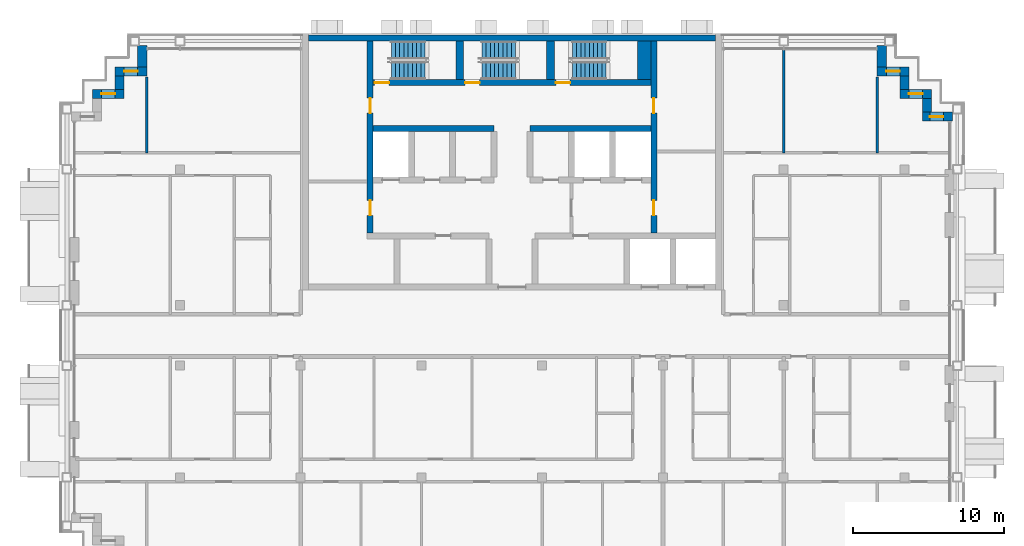
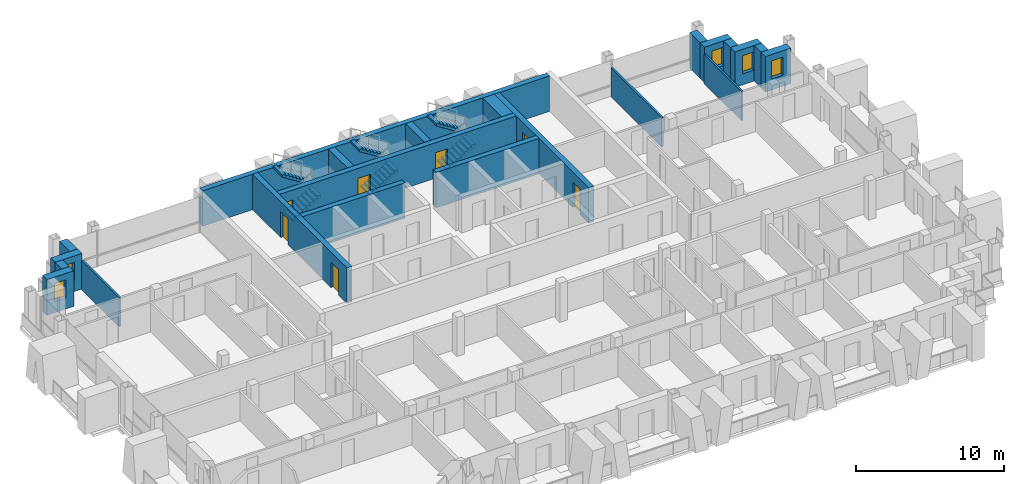
# One storey, part 11 of 15: 22 walls, 7 doors, 6 stair flights, 5 windows, 12 openings, 3 elements without a shape of their own.
"""IFC4 building model written with IfcOpenShell, lengths in metres."""

from ifc_helpers import new_model, si_unit, direction, frame, frame_2d, origin, place, context, subcontext, project, spatial, polyline, rectangle, outline, extrude, material, layer, layer_set, type_object, element, fill, aggregate, save


model = new_model("IFC4")

# Units and contexts
model_context = context("Model", 3, precision=1e-05, world=origin(), true_north=direction((0.0, 1.0)))
body_context = subcontext(model_context, "Body", "Model", "MODEL_VIEW")
ifc_project = project(units=[si_unit("LENGTHUNIT", "METRE"), si_unit("AREAUNIT", "SQUARE_METRE"), si_unit("VOLUMEUNIT", "CUBIC_METRE"), si_unit("PLANEANGLEUNIT", "RADIAN"), si_unit("MASSUNIT", "GRAM", prefix="KILO")], contexts=[model_context])

# Site, building, storey
site_placement = place(None, origin())
site = spatial("IfcSite", under=ifc_project, at=site_placement, CompositionType="ELEMENT")
building_placement = place(site_placement, origin())
building = spatial("IfcBuilding", under=site, at=building_placement, Name="Vidyagriha Tower", CompositionType="ELEMENT")
storey_placement = place(building_placement, frame((0.0, 0.0, 214.0)))
storey = spatial("IfcBuildingStorey", under=building, at=storey_placement, Name="L55", CompositionType="ELEMENT", Elevation=214.0)

# Wall, opening, window
ifc_material_1 = material(Name="Precast concrete C40/50 with brick facing", Category="concrete")
ifc_layer_1 = layer(ifc_material_1, 0.60009765625)
ifc_layer_set_1 = layer_set([ifc_layer_1], Name="Precast concrete C40/50 with brick facing")
wall_type_1 = type_object("IfcWallType", Name="Brick-faced precast wall 600", PredefinedType="STANDARD", material=ifc_layer_set_1)
wall_1_placement = place(storey_placement, frame((29.199951171875, 14.5, 0.0), z_axis=(0.0, 0.0, 1.0), x_axis=(-1.0, 0.0, 0.0)))
wall_1 = element("IfcWall", 1, at=wall_1_placement, inside=storey, type_object=wall_type_1, Name="Stepped corner wall L55 R01", PredefinedType="STANDARD", context=body_context, shape_type="SweptSolid", body=[
    extrude(rectangle(XDim=2.0, YDim=0.60009765625, at=frame_2d((1.0, 0.0))), origin(), (0.0, 0.0, 1.0), 2.919921875),
])
opening_1_placement = place(wall_1_placement, frame((0.610107421875, 0.0, 0.89990234375)))
opening_1 = element("IfcOpeningElement", 2, at=opening_1_placement, cuts=wall_1, Name="Opening WN1", PredefinedType="OPENING", context=body_context, shape_type="SweptSolid", body=[
    extrude(rectangle(XDim=0.89990234375, YDim=1.5, at=frame_2d((0.449951171875, 0.75))), frame((0.0, 0.31005859375, 0.0), z_axis=(0.0, -1.0, 0.0), x_axis=(1.0, 0.0, 0.0)), (0.0, 0.0, 1.0), 0.6201171875),
])
ifc_material_2 = material(Name="Aluminium and glass window", Category="aluminium")
window_type = type_object("IfcWindowType", Name="Reveal window 900x1500", PartitioningType="NOTDEFINED", PredefinedType="WINDOW", material=ifc_material_2)
window_1_placement = place(opening_1_placement, origin())
window_1 = element("IfcWindow", 3, at=window_1_placement, inside=storey, type_object=window_type, Name="Reveal window L55 R01", OverallHeight=1.5, OverallWidth=0.89990234375, PartitioningType="SINGLE_PANEL", PredefinedType="WINDOW", context=body_context, shape_type="SweptSolid", body=[
    extrude(rectangle(XDim=0.89990234375, YDim=1.5, at=frame_2d((0.449951171875, 0.75))), frame((0.0, 0.030029296875, 0.0), z_axis=(0.0, -1.0, 0.0), x_axis=(1.0, 0.0, 0.0)), (0.0, 0.0, 1.0), 0.06005859375),
])
fill(opening_1, window_1)

# Wall
wall_2_placement = place(storey_placement, frame((27.5, 14.800048828125, 0.0), z_axis=(0.0, 0.0, 1.0), x_axis=(0.0, 1.0, 0.0)))
element("IfcWall", 4, at=wall_2_placement, inside=storey, type_object=wall_type_1, Name="Stepped corner wall L55 R02", PredefinedType="STANDARD", context=body_context, shape_type="SweptSolid", body=[
    extrude(rectangle(XDim=0.89990234375, YDim=0.60009765625, at=frame_2d((0.449951171875, 0.0))), origin(), (0.0, 0.0, 1.0), 2.919921875),
])

# Wall, opening, window
wall_3_placement = place(storey_placement, frame((27.800048828125, 16.0, 0.0), z_axis=(0.0, 0.0, 1.0), x_axis=(-1.0, 0.0, 0.0)))
wall_3 = element("IfcWall", 5, at=wall_3_placement, inside=storey, type_object=wall_type_1, Name="Stepped corner wall L55 R03", PredefinedType="STANDARD", context=body_context, shape_type="SweptSolid", body=[
    extrude(rectangle(XDim=2.10009765625, YDim=0.60009765625, at=frame_2d((1.050048828125, 0.0))), origin(), (0.0, 0.0, 1.0), 2.919921875),
])
opening_2_placement = place(wall_3_placement, frame((0.60009765625, 0.0, 0.89990234375)))
opening_2 = element("IfcOpeningElement", 6, at=opening_2_placement, cuts=wall_3, Name="Opening WN1", PredefinedType="OPENING", context=body_context, shape_type="SweptSolid", body=[
    extrude(rectangle(XDim=0.89990234375, YDim=1.5, at=frame_2d((0.449951171875, 0.75))), frame((0.0, 0.31005859375, 0.0), z_axis=(0.0, -1.0, 0.0), x_axis=(1.0, 0.0, 0.0)), (0.0, 0.0, 1.0), 0.6201171875),
])
window_2_placement = place(opening_2_placement, origin())
window_2 = element("IfcWindow", 7, at=window_2_placement, inside=storey, type_object=window_type, Name="Reveal window L55 R03", OverallHeight=1.5, OverallWidth=0.89990234375, PartitioningType="SINGLE_PANEL", PredefinedType="WINDOW", context=body_context, shape_type="SweptSolid", body=[
    extrude(rectangle(XDim=0.89990234375, YDim=1.5, at=frame_2d((0.449951171875, 0.75))), frame((0.0, 0.030029296875, 0.0), z_axis=(0.0, -1.0, 0.0), x_axis=(1.0, 0.0, 0.0)), (0.0, 0.0, 1.0), 0.06005859375),
])
fill(opening_2, window_2)

# Wall
wall_4_placement = place(storey_placement, frame((26.0, 16.300048828125, 0.0), z_axis=(0.0, 0.0, 1.0), x_axis=(0.0, 1.0, 0.0)))
element("IfcWall", 8, at=wall_4_placement, inside=storey, type_object=wall_type_1, Name="Stepped corner wall L55 R04", PredefinedType="STANDARD", context=body_context, shape_type="SweptSolid", body=[
    extrude(rectangle(XDim=0.89990234375, YDim=0.60009765625, at=frame_2d((0.449951171875, 0.0))), origin(), (0.0, 0.0, 1.0), 2.919921875),
])

# Wall, opening, window
wall_5_placement = place(storey_placement, frame((26.300048828125, 17.5, 0.0), z_axis=(0.0, 0.0, 1.0), x_axis=(-1.0, 0.0, 0.0)))
wall_5 = element("IfcWall", 9, at=wall_5_placement, inside=storey, type_object=wall_type_1, Name="Stepped corner wall L55 R05", PredefinedType="STANDARD", context=body_context, shape_type="SweptSolid", body=[
    extrude(rectangle(XDim=2.10009765625, YDim=0.60009765625, at=frame_2d((1.050048828125, 0.0))), origin(), (0.0, 0.0, 1.0), 2.919921875),
])
opening_3_placement = place(wall_5_placement, frame((0.60009765625, 0.0, 0.89990234375)))
opening_3 = element("IfcOpeningElement", 10, at=opening_3_placement, cuts=wall_5, Name="Opening WN1", PredefinedType="OPENING", context=body_context, shape_type="SweptSolid", body=[
    extrude(rectangle(XDim=0.89990234375, YDim=1.5, at=frame_2d((0.449951171875, 0.75))), frame((0.0, 0.31005859375, 0.0), z_axis=(0.0, -1.0, 0.0), x_axis=(1.0, 0.0, 0.0)), (0.0, 0.0, 1.0), 0.6201171875),
])
window_3_placement = place(opening_3_placement, origin())
window_3 = element("IfcWindow", 11, at=window_3_placement, inside=storey, type_object=window_type, Name="Reveal window L55 R05", OverallHeight=1.5, OverallWidth=0.89990234375, PartitioningType="SINGLE_PANEL", PredefinedType="WINDOW", context=body_context, shape_type="SweptSolid", body=[
    extrude(rectangle(XDim=0.89990234375, YDim=1.5, at=frame_2d((0.449951171875, 0.75))), frame((0.0, 0.030029296875, 0.0), z_axis=(0.0, -1.0, 0.0), x_axis=(1.0, 0.0, 0.0)), (0.0, 0.0, 1.0), 0.06005859375),
])
fill(opening_3, window_3)

# Walls
for number, where, z_axis, x_axis, name in (
    (12, (24.5, 17.800048828125, 0.0), (0.0, 0.0, 1.0), (0.0, 1.0, 0.0), "Stepped corner wall L55 R06"),
    (13, (-24.5, 19.199951171875, 0.0), (0.0, 0.0, 1.0), (0.0, -1.0, 0.0), "Stepped corner wall L55 R10"),
):
    element("IfcWall", number, at=place(storey_placement, frame(where, z_axis=z_axis, x_axis=x_axis)), inside=storey, type_object=wall_type_1, Name=name, PredefinedType="STANDARD", context=body_context, shape_type="SweptSolid", body=[
        extrude(rectangle(XDim=1.39990234375, YDim=0.60009765625, at=frame_2d((0.699951171875, 0.0))), origin(), (0.0, 0.0, 1.0), 2.919921875),
    ])

# Wall, opening, window
wall_6_placement = place(storey_placement, frame((-24.199951171875, 17.5, 0.0), z_axis=(0.0, 0.0, 1.0), x_axis=(-1.0, 0.0, 0.0)))
wall_6 = element("IfcWall", 14, at=wall_6_placement, inside=storey, type_object=wall_type_1, Name="Stepped corner wall L55 R11", PredefinedType="STANDARD", context=body_context, shape_type="SweptSolid", body=[
    extrude(rectangle(XDim=2.10009765625, YDim=0.60009765625, at=frame_2d((1.050048828125, 0.0))), origin(), (0.0, 0.0, 1.0), 2.919921875),
])
opening_4_placement = place(wall_6_placement, frame((0.60009765625, 0.0, 0.89990234375)))
opening_4 = element("IfcOpeningElement", 15, at=opening_4_placement, cuts=wall_6, Name="Opening WN1", PredefinedType="OPENING", context=body_context, shape_type="SweptSolid", body=[
    extrude(rectangle(XDim=0.89990234375, YDim=1.5, at=frame_2d((0.449951171875, 0.75))), frame((0.0, 0.31005859375, 0.0), z_axis=(0.0, -1.0, 0.0), x_axis=(1.0, 0.0, 0.0)), (0.0, 0.0, 1.0), 0.6201171875),
])
window_4_placement = place(opening_4_placement, origin())
window_4 = element("IfcWindow", 16, at=window_4_placement, inside=storey, type_object=window_type, Name="Reveal window L55 R11", OverallHeight=1.5, OverallWidth=0.89990234375, PartitioningType="SINGLE_PANEL", PredefinedType="WINDOW", context=body_context, shape_type="SweptSolid", body=[
    extrude(rectangle(XDim=0.89990234375, YDim=1.5, at=frame_2d((0.449951171875, 0.75))), frame((0.0, 0.030029296875, 0.0), z_axis=(0.0, -1.0, 0.0), x_axis=(1.0, 0.0, 0.0)), (0.0, 0.0, 1.0), 0.06005859375),
])
fill(opening_4, window_4)

# Wall
wall_7_placement = place(storey_placement, frame((-26.0, 17.199951171875, 0.0), z_axis=(0.0, 0.0, 1.0), x_axis=(0.0, -1.0, 0.0)))
element("IfcWall", 17, at=wall_7_placement, inside=storey, type_object=wall_type_1, Name="Stepped corner wall L55 R12", PredefinedType="STANDARD", context=body_context, shape_type="SweptSolid", body=[
    extrude(rectangle(XDim=0.89990234375, YDim=0.60009765625, at=frame_2d((0.449951171875, 0.0))), origin(), (0.0, 0.0, 1.0), 2.919921875),
])

# Wall, opening, window
wall_8_placement = place(storey_placement, frame((-25.699951171875, 16.0, 0.0), z_axis=(0.0, 0.0, 1.0), x_axis=(-1.0, 0.0, 0.0)))
wall_8 = element("IfcWall", 18, at=wall_8_placement, inside=storey, type_object=wall_type_1, Name="Stepped corner wall L55 R13", PredefinedType="STANDARD", context=body_context, shape_type="SweptSolid", body=[
    extrude(rectangle(XDim=2.10009765625, YDim=0.60009765625, at=frame_2d((1.050048828125, 0.0))), origin(), (0.0, 0.0, 1.0), 2.919921875),
])
opening_5_placement = place(wall_8_placement, frame((0.60009765625, 0.0, 0.89990234375)))
opening_5 = element("IfcOpeningElement", 19, at=opening_5_placement, cuts=wall_8, Name="Opening WN1", PredefinedType="OPENING", context=body_context, shape_type="SweptSolid", body=[
    extrude(rectangle(XDim=0.89990234375, YDim=1.5, at=frame_2d((0.449951171875, 0.75))), frame((0.0, 0.31005859375, 0.0), z_axis=(0.0, -1.0, 0.0), x_axis=(1.0, 0.0, 0.0)), (0.0, 0.0, 1.0), 0.6201171875),
])
window_5_placement = place(opening_5_placement, origin())
window_5 = element("IfcWindow", 20, at=window_5_placement, inside=storey, type_object=window_type, Name="Reveal window L55 R13", OverallHeight=1.5, OverallWidth=0.89990234375, PartitioningType="SINGLE_PANEL", PredefinedType="WINDOW", context=body_context, shape_type="SweptSolid", body=[
    extrude(rectangle(XDim=0.89990234375, YDim=1.5, at=frame_2d((0.449951171875, 0.75))), frame((0.0, 0.030029296875, 0.0), z_axis=(0.0, -1.0, 0.0), x_axis=(1.0, 0.0, 0.0)), (0.0, 0.0, 1.0), 0.06005859375),
])
fill(opening_5, window_5)

# Wall
ifc_material_3 = material(Name="Concrete C60/75", Category="concrete")
ifc_layer_2 = layer(ifc_material_3, 0.39990234375)
ifc_layer_set_2 = layer_set([ifc_layer_2], Name="Concrete C60/75")
wall_type_2 = type_object("IfcWallType", Name="Core shear wall 400 mm", PredefinedType="SHEAR", material=ifc_layer_set_2)
wall_9_placement = place(storey_placement, frame((-13.5, 19.699951171875, 0.0)))
element("IfcWall", 21, at=wall_9_placement, inside=storey, type_object=wall_type_2, Name="Core north wall", PredefinedType="SHEAR", context=body_context, shape_type="SweptSolid", body=[
    extrude(rectangle(XDim=27.0, YDim=0.39990234375, at=frame_2d((13.5, 0.0))), origin(), (0.0, 0.0, 1.0), 2.919921875),
])

# Wall, openings, doors
wall_10_placement = place(storey_placement, frame((-9.39990234375, 6.800048828125, 0.0), z_axis=(0.0, 0.0, 1.0), x_axis=(0.0, 1.0, 0.0)))
wall_10 = element("IfcWall", 22, at=wall_10_placement, inside=storey, type_object=wall_type_2, Name="Core west spine wall", PredefinedType="SHEAR", context=body_context, shape_type="SweptSolid", body=[
    extrude(rectangle(XDim=12.699951171875, YDim=0.39990234375, at=frame_2d((6.35009765625, 0.0))), origin(), (0.0, 0.0, 1.0), 2.919921875),
])
opening_6_placement = place(wall_10_placement, frame((1.14990234375, 0.0, 0.0)))
opening_6 = element("IfcOpeningElement", 23, at=opening_6_placement, cuts=wall_10, Name="Opening D55-11", PredefinedType="OPENING", context=body_context, shape_type="SweptSolid", body=[
    extrude(rectangle(XDim=1.0, YDim=2.10009765625, at=frame_2d((0.5, 1.050048828125))), frame((0.0, 0.2099609375, 0.0), z_axis=(0.0, -1.0, 0.0), x_axis=(1.0, 0.0, 0.0)), (0.0, 0.0, 1.0), 0.419921875),
])
opening_7_placement = place(wall_10_placement, frame((7.925048828125, 0.0, 0.0)))
opening_7 = element("IfcOpeningElement", 24, at=opening_7_placement, cuts=wall_10, Name="Opening D55-12", PredefinedType="OPENING", context=body_context, shape_type="SweptSolid", body=[
    extrude(rectangle(XDim=1.0, YDim=2.10009765625, at=frame_2d((0.5, 1.050048828125))), frame((0.0, 0.2099609375, 0.0), z_axis=(0.0, -1.0, 0.0), x_axis=(1.0, 0.0, 0.0)), (0.0, 0.0, 1.0), 0.419921875),
])
ifc_material_4 = material(Name="Hollow metal door leaf")
door_type_1 = type_object("IfcDoorType", Name="Core room door 1000 x 2100 mm EI 60", OperationType="NOTDEFINED", PredefinedType="DOOR", material=ifc_material_4)
door_1_placement = place(opening_6_placement, frame((1.0, 0.0, 0.0), z_axis=(0.0, 0.0, 1.0), x_axis=(-1.0, 0.0, 0.0)))
door_1 = element("IfcDoor", 25, at=door_1_placement, inside=storey, type_object=door_type_1, Name="Door Refuse Room 55.W1", OperationType="SINGLE_SWING_RIGHT", OverallHeight=2.10009765625, OverallWidth=1.0, PredefinedType="DOOR", context=body_context, shape_type="SweptSolid", body=[
    extrude(rectangle(XDim=1.0, YDim=2.10009765625, at=frame_2d((0.5, 1.050048828125))), frame((0.0, 0.02490234375, 0.0), z_axis=(0.0, -1.0, 0.0), x_axis=(1.0, 0.0, 0.0)), (0.0, 0.0, 1.0), 0.050048828125),
])
fill(opening_6, door_1)
door_2_placement = place(opening_7_placement, frame((1.0, 0.0, 0.0), z_axis=(0.0, 0.0, 1.0), x_axis=(-1.0, 0.0, 0.0)))
door_2 = element("IfcDoor", 26, at=door_2_placement, inside=storey, type_object=door_type_1, Name="Door Switchgear Room 55.W2", OperationType="SINGLE_SWING_LEFT", OverallHeight=2.10009765625, OverallWidth=1.0, PredefinedType="DOOR", context=body_context, shape_type="SweptSolid", body=[
    extrude(rectangle(XDim=1.0, YDim=2.10009765625, at=frame_2d((0.5, 1.050048828125))), frame((0.0, 0.02490234375, 0.0), z_axis=(0.0, -1.0, 0.0), x_axis=(1.0, 0.0, 0.0)), (0.0, 0.0, 1.0), 0.050048828125),
])
fill(opening_7, door_2)

wall_11_placement = place(storey_placement, frame((9.39990234375, 6.800048828125, 0.0), z_axis=(0.0, 0.0, 1.0), x_axis=(0.0, 1.0, 0.0)))
wall_11 = element("IfcWall", 27, at=wall_11_placement, inside=storey, type_object=wall_type_2, Name="Core east spine wall", PredefinedType="SHEAR", context=body_context, shape_type="SweptSolid", body=[
    extrude(rectangle(XDim=12.699951171875, YDim=0.39990234375, at=frame_2d((6.35009765625, 0.0))), origin(), (0.0, 0.0, 1.0), 2.919921875),
])
opening_8_placement = place(wall_11_placement, frame((1.14990234375, 0.0, 0.0)))
opening_8 = element("IfcOpeningElement", 28, at=opening_8_placement, cuts=wall_11, Name="Opening D55-13", PredefinedType="OPENING", context=body_context, shape_type="SweptSolid", body=[
    extrude(rectangle(XDim=1.0, YDim=2.10009765625, at=frame_2d((0.5, 1.050048828125))), frame((0.0, 0.2099609375, 0.0), z_axis=(0.0, -1.0, 0.0), x_axis=(1.0, 0.0, 0.0)), (0.0, 0.0, 1.0), 0.419921875),
])
opening_9_placement = place(wall_11_placement, frame((7.925048828125, 0.0, 0.0)))
opening_9 = element("IfcOpeningElement", 29, at=opening_9_placement, cuts=wall_11, Name="Opening D55-14", PredefinedType="OPENING", context=body_context, shape_type="SweptSolid", body=[
    extrude(rectangle(XDim=1.0, YDim=2.10009765625, at=frame_2d((0.5, 1.050048828125))), frame((0.0, 0.2099609375, 0.0), z_axis=(0.0, -1.0, 0.0), x_axis=(1.0, 0.0, 0.0)), (0.0, 0.0, 1.0), 0.419921875),
])
door_3_placement = place(opening_8_placement, origin())
door_3 = element("IfcDoor", 30, at=door_3_placement, inside=storey, type_object=door_type_1, Name="Door Pressurisation Plant Room 55.E1", OperationType="SINGLE_SWING_RIGHT", OverallHeight=2.10009765625, OverallWidth=1.0, PredefinedType="DOOR", context=body_context, shape_type="SweptSolid", body=[
    extrude(rectangle(XDim=1.0, YDim=2.10009765625, at=frame_2d((0.5, 1.050048828125))), frame((0.0, 0.02490234375, 0.0), z_axis=(0.0, -1.0, 0.0), x_axis=(1.0, 0.0, 0.0)), (0.0, 0.0, 1.0), 0.050048828125),
])
fill(opening_8, door_3)
door_4_placement = place(opening_9_placement, origin())
door_4 = element("IfcDoor", 31, at=door_4_placement, inside=storey, type_object=door_type_1, Name="Door Storage Room 55.E2", OperationType="SINGLE_SWING_LEFT", OverallHeight=2.10009765625, OverallWidth=1.0, PredefinedType="DOOR", context=body_context, shape_type="SweptSolid", body=[
    extrude(rectangle(XDim=1.0, YDim=2.10009765625, at=frame_2d((0.5, 1.050048828125))), frame((0.0, 0.02490234375, 0.0), z_axis=(0.0, -1.0, 0.0), x_axis=(1.0, 0.0, 0.0)), (0.0, 0.0, 1.0), 0.050048828125),
])
fill(opening_9, door_4)

# Walls
for number, where, name in (
    (32, (-9.199951171875, 13.699951171875, 0.0), "Core row N rear wall"),
    (33, (1.199951171875, 13.699951171875, 0.0), "Core row N rear wall"),
):
    element("IfcWall", number, at=place(storey_placement, frame(where)), inside=storey, type_object=wall_type_2, Name=name, PredefinedType="SHEAR", context=body_context, shape_type="SweptSolid", body=[
        extrude(rectangle(XDim=8.0, YDim=0.39990234375, at=frame_2d((4.0, 0.0))), origin(), (0.0, 0.0, 1.0), 2.919921875),
    ])

# Wall, openings, doors
wall_12_placement = place(storey_placement, frame((-9.199951171875, 16.75, 0.0)))
wall_12 = element("IfcWall", 34, at=wall_12_placement, inside=storey, type_object=wall_type_2, Name="Stair front wall", PredefinedType="SHEAR", context=body_context, shape_type="SweptSolid", body=[
    extrude(rectangle(XDim=18.39990234375, YDim=0.39990234375, at=frame_2d((9.199951171875, 0.0))), origin(), (0.0, 0.0, 1.0), 2.919921875),
])
opening_10_placement = place(wall_12_placement, frame((0.10009765625, 0.0, 0.0)))
opening_10 = element("IfcOpeningElement", 35, at=opening_10_placement, cuts=wall_12, Name="Opening D55-08", PredefinedType="OPENING", context=body_context, shape_type="SweptSolid", body=[
    extrude(rectangle(XDim=0.949951171875, YDim=2.10009765625, at=frame_2d((0.47509765625, 1.050048828125))), frame((0.0, 0.2099609375, 0.0), z_axis=(0.0, -1.0, 0.0), x_axis=(1.0, 0.0, 0.0)), (0.0, 0.0, 1.0), 0.419921875),
])
opening_11_placement = place(wall_12_placement, frame((6.10009765625, 0.0, 0.0)))
opening_11 = element("IfcOpeningElement", 36, at=opening_11_placement, cuts=wall_12, Name="Opening D55-09", PredefinedType="OPENING", context=body_context, shape_type="SweptSolid", body=[
    extrude(rectangle(XDim=0.949951171875, YDim=2.10009765625, at=frame_2d((0.47509765625, 1.050048828125))), frame((0.0, 0.2099609375, 0.0), z_axis=(0.0, -1.0, 0.0), x_axis=(1.0, 0.0, 0.0)), (0.0, 0.0, 1.0), 0.419921875),
])
opening_12_placement = place(wall_12_placement, frame((12.10009765625, 0.0, 0.0)))
opening_12 = element("IfcOpeningElement", 37, at=opening_12_placement, cuts=wall_12, Name="Opening D55-10", PredefinedType="OPENING", context=body_context, shape_type="SweptSolid", body=[
    extrude(rectangle(XDim=0.949951171875, YDim=2.10009765625, at=frame_2d((0.47509765625, 1.050048828125))), frame((0.0, 0.2099609375, 0.0), z_axis=(0.0, -1.0, 0.0), x_axis=(1.0, 0.0, 0.0)), (0.0, 0.0, 1.0), 0.419921875),
])
ifc_material_5 = material(Name="Hollow metal door leaf")
door_type_2 = type_object("IfcDoorType", Name="Exit stair door 950 x 2100 mm EI 90", OperationType="NOTDEFINED", PredefinedType="DOOR", material=ifc_material_5)
door_5_placement = place(opening_10_placement, origin())
door_5 = element("IfcDoor", 38, at=door_5_placement, inside=storey, type_object=door_type_2, Name="Stair door ST1 L55", OperationType="SINGLE_SWING_LEFT", OverallHeight=2.10009765625, OverallWidth=0.949951171875, PredefinedType="DOOR", context=body_context, shape_type="SweptSolid", body=[
    extrude(rectangle(XDim=0.949951171875, YDim=2.10009765625, at=frame_2d((0.47509765625, 1.050048828125))), frame((0.0, 0.02490234375, 0.0), z_axis=(0.0, -1.0, 0.0), x_axis=(1.0, 0.0, 0.0)), (0.0, 0.0, 1.0), 0.050048828125),
])
fill(opening_10, door_5)
door_6_placement = place(opening_11_placement, origin())
door_6 = element("IfcDoor", 39, at=door_6_placement, inside=storey, type_object=door_type_2, Name="Stair door ST2 L55", OperationType="SINGLE_SWING_LEFT", OverallHeight=2.10009765625, OverallWidth=0.949951171875, PredefinedType="DOOR", context=body_context, shape_type="SweptSolid", body=[
    extrude(rectangle(XDim=0.949951171875, YDim=2.10009765625, at=frame_2d((0.47509765625, 1.050048828125))), frame((0.0, 0.02490234375, 0.0), z_axis=(0.0, -1.0, 0.0), x_axis=(1.0, 0.0, 0.0)), (0.0, 0.0, 1.0), 0.050048828125),
])
fill(opening_11, door_6)
door_7_placement = place(opening_12_placement, origin())
door_7 = element("IfcDoor", 40, at=door_7_placement, inside=storey, type_object=door_type_2, Name="Stair door ST3 L55", OperationType="SINGLE_SWING_LEFT", OverallHeight=2.10009765625, OverallWidth=0.949951171875, PredefinedType="DOOR", context=body_context, shape_type="SweptSolid", body=[
    extrude(rectangle(XDim=0.949951171875, YDim=2.10009765625, at=frame_2d((0.47509765625, 1.050048828125))), frame((0.0, 0.02490234375, 0.0), z_axis=(0.0, -1.0, 0.0), x_axis=(1.0, 0.0, 0.0)), (0.0, 0.0, 1.0), 0.050048828125),
])
fill(opening_12, door_7)

# Walls
ifc_material_6 = material(Name="Concrete C60/75", Category="concrete")
ifc_layer_3 = layer(ifc_material_6, 0.5)
ifc_layer_set_3 = layer_set([ifc_layer_3], Name="Concrete C60/75")
wall_type_3 = type_object("IfcWallType", Name="Core shear wall 500 mm", PredefinedType="SHEAR", material=ifc_layer_set_3)
for number, where, z_axis, x_axis, name in (
    (41, (-3.449951171875, 16.949951171875, 0.0), (0.0, 0.0, 1.0), (0.0, 1.0, 0.0), "Stair partition wall 1"),
    (42, (2.550048828125, 16.949951171875, 0.0), (0.0, 0.0, 1.0), (0.0, 1.0, 0.0), "Stair partition wall 2"),
):
    element("IfcWall", number, at=place(storey_placement, frame(where, z_axis=z_axis, x_axis=x_axis)), inside=storey, type_object=wall_type_3, Name=name, PredefinedType="SHEAR", context=body_context, shape_type="SweptSolid", body=[
        extrude(rectangle(XDim=2.550048828125, YDim=0.5, at=frame_2d((1.27490234375, 0.0))), origin(), (0.0, 0.0, 1.0), 2.919921875),
    ])
ifc_material_7 = material(Name="Concrete C60/75", Category="concrete")
ifc_layer_4 = layer(ifc_material_7, 0.89990234375)
ifc_layer_set_4 = layer_set([ifc_layer_4], Name="Concrete C60/75")
wall_type_4 = type_object("IfcWallType", Name="Core shear wall 900 mm", PredefinedType="SHEAR", material=ifc_layer_set_4)
wall_13_placement = place(storey_placement, frame((8.75, 16.949951171875, 0.0), z_axis=(0.0, 0.0, 1.0), x_axis=(0.0, 1.0, 0.0)))
element("IfcWall", 43, at=wall_13_placement, inside=storey, type_object=wall_type_4, Name="Stair end wall", PredefinedType="SHEAR", context=body_context, shape_type="SweptSolid", body=[
    extrude(rectangle(XDim=2.550048828125, YDim=0.89990234375, at=frame_2d((1.27490234375, 0.0))), origin(), (0.0, 0.0, 1.0), 2.919921875),
])
ifc_material_8 = material(Name="Gypsum board partition")
ifc_layer_5 = layer(ifc_material_8, 0.14990234375)
ifc_layer_set_5 = layer_set([ifc_layer_5], Name="Gypsum board partition")
wall_type_5 = type_object("IfcWallType", Name="Gypsum board partition 150", PredefinedType="PARTITIONING", material=ifc_layer_set_5)
wall_14_placement = place(storey_placement, frame((-24.199951171875, 17.1201171875, 0.0), z_axis=(0.0, 0.0, 1.0), x_axis=(0.0, -1.0, 0.0)))
element("IfcWall", 44, at=wall_14_placement, inside=storey, type_object=wall_type_5, Name="Wall all-L55-w078", PredefinedType="PARTITIONING", context=body_context, shape_type="SweptSolid", body=[
    extrude(rectangle(XDim=5.02001953125, YDim=0.14990234375, at=frame_2d((2.510009765625, 0.0))), origin(), (0.0, 0.0, 1.0), 2.39990234375),
])
wall_15_placement = place(storey_placement, frame((18.0, 18.9208984375, 0.0), z_axis=(0.0, 0.0, 1.0), x_axis=(0.0, -1.0, 0.0)))
element("IfcWall", 45, at=wall_15_placement, inside=storey, type_object=wall_type_5, Name="Wall all-L55-w094", PredefinedType="PARTITIONING", context=body_context, shape_type="SweptSolid", body=[
    extrude(rectangle(XDim=6.82080078125, YDim=0.14990234375, at=frame_2d((3.410400390625, 0.0))), origin(), (0.0, 0.0, 1.0), 2.39990234375),
])
wall_16_placement = place(storey_placement, frame((24.199951171875, 17.1201171875, 0.0), z_axis=(0.0, 0.0, 1.0), x_axis=(0.0, -1.0, 0.0)))
element("IfcWall", 46, at=wall_16_placement, inside=storey, type_object=wall_type_5, Name="Wall all-L55-w095", PredefinedType="PARTITIONING", context=body_context, shape_type="SweptSolid", body=[
    extrude(rectangle(XDim=5.02001953125, YDim=0.14990234375, at=frame_2d((2.510009765625, 0.0))), origin(), (0.0, 0.0, 1.0), 2.39990234375),
])

# Stair, stair flights
ifc_material_9 = material(Name="Concrete C40/50", Category="concrete")
stair_type = type_object("IfcStairType", Name="Exit stair, half-turn, precast flights", PredefinedType="HALF_TURN_STAIR", material=ifc_material_9)
stair_1_placement = place(storey_placement, origin())
stair_1 = element("IfcStair", 47, at=stair_1_placement, inside=storey, type_object=stair_type, Name="L55 Exit Stair ST1", PredefinedType="HALF_TURN_STAIR")
ifc_material_10 = material(Name="Precast concrete C40/50", Category="concrete")
stair_flight_type = type_object("IfcStairFlightType", Name="Exit stair flight 1200 mm, precast", PredefinedType="STRAIGHT", material=ifc_material_10)
stair_flight_1_placement = place(storey_placement, frame((-8.0, 17.550048828125, 0.0)))
stair_flight_1 = element("IfcStairFlight", 48, at=stair_flight_1_placement, type_object=stair_flight_type, Name="ST1 flight 1", NumberOfRisers=9, NumberOfTreads=8, PredefinedType="STRAIGHT", RiserHeight=0.177777778, TreadLength=0.28, context=body_context, shape_type="SweptSolid", body=[
    extrude(outline(polyline([(0.0, 0.0), (0.0, 0.177734375), (0.280029296875, 0.177734375), (0.280029296875, 0.35546875), (0.56005859375, 0.35546875), (0.56005859375, 0.533447265625), (0.840087890625, 0.533447265625), (0.840087890625, 0.711181640625), (1.1201171875, 0.711181640625), (1.1201171875, 0.888916015625), (1.39990234375, 0.888916015625), (1.39990234375, 1.066650390625), (1.679931640625, 1.066650390625), (1.679931640625, 1.244384765625), (1.9599609375, 1.244384765625), (1.9599609375, 1.422119140625), (2.239990234375, 1.422119140625), (2.239990234375, 1.60009765625), (2.239990234375, 1.24462890625), (0.27978515625, 0.0), (0.0, 0.0)])), frame((0.0, 0.60009765625, 0.0), z_axis=(0.0, -1.0, 0.0), x_axis=(1.0, 0.0, 0.0)), (0.0, 0.0, 1.0), 1.199951171875),
])
stair_flight_2_placement = place(storey_placement, frame((-5.760009765625, 18.89990234375, 1.60009765625), z_axis=(0.0, 0.0, 1.0), x_axis=(-1.0, 0.0, 0.0)))
stair_flight_2 = element("IfcStairFlight", 49, at=stair_flight_2_placement, type_object=stair_flight_type, Name="ST1 flight 2", NumberOfRisers=9, NumberOfTreads=8, PredefinedType="STRAIGHT", RiserHeight=0.177777778, TreadLength=0.28, context=body_context, shape_type="SweptSolid", body=[
    extrude(outline(polyline([(0.0, 0.0), (0.0, 0.177734375), (0.280029296875, 0.177734375), (0.280029296875, 0.35546875), (0.56005859375, 0.35546875), (0.56005859375, 0.533447265625), (0.840087890625, 0.533447265625), (0.840087890625, 0.711181640625), (1.1201171875, 0.711181640625), (1.1201171875, 0.888916015625), (1.39990234375, 0.888916015625), (1.39990234375, 1.066650390625), (1.679931640625, 1.066650390625), (1.679931640625, 1.244384765625), (1.9599609375, 1.244384765625), (1.9599609375, 1.422119140625), (2.239990234375, 1.422119140625), (2.239990234375, 1.60009765625), (2.239990234375, 1.24462890625), (0.27978515625, 0.0), (0.0, 0.0)])), frame((0.0, 0.60009765625, 0.0), z_axis=(0.0, -1.0, 0.0), x_axis=(1.0, 0.0, 0.0)), (0.0, 0.0, 1.0), 1.199951171875),
])
aggregate(stair_1, [stair_flight_1, stair_flight_2])

stair_2_placement = place(storey_placement, origin())
stair_2 = element("IfcStair", 50, at=stair_2_placement, inside=storey, type_object=stair_type, Name="L55 Exit Stair ST2", PredefinedType="HALF_TURN_STAIR")
stair_flight_3_placement = place(storey_placement, frame((-2.0, 17.550048828125, 0.0)))
stair_flight_3 = element("IfcStairFlight", 51, at=stair_flight_3_placement, type_object=stair_flight_type, Name="ST2 flight 1", NumberOfRisers=9, NumberOfTreads=8, PredefinedType="STRAIGHT", RiserHeight=0.177777778, TreadLength=0.28, context=body_context, shape_type="SweptSolid", body=[
    extrude(outline(polyline([(0.0, 0.0), (0.0, 0.177734375), (0.280029296875, 0.177734375), (0.280029296875, 0.35546875), (0.56005859375, 0.35546875), (0.56005859375, 0.533447265625), (0.840087890625, 0.533447265625), (0.840087890625, 0.711181640625), (1.1201171875, 0.711181640625), (1.1201171875, 0.888916015625), (1.39990234375, 0.888916015625), (1.39990234375, 1.066650390625), (1.679931640625, 1.066650390625), (1.679931640625, 1.244384765625), (1.9599609375, 1.244384765625), (1.9599609375, 1.422119140625), (2.239990234375, 1.422119140625), (2.239990234375, 1.60009765625), (2.239990234375, 1.24462890625), (0.27978515625, 0.0), (0.0, 0.0)])), frame((0.0, 0.60009765625, 0.0), z_axis=(0.0, -1.0, 0.0), x_axis=(1.0, 0.0, 0.0)), (0.0, 0.0, 1.0), 1.199951171875),
])
stair_flight_4_placement = place(storey_placement, frame((0.239990234375, 18.89990234375, 1.60009765625), z_axis=(0.0, 0.0, 1.0), x_axis=(-1.0, 0.0, 0.0)))
stair_flight_4 = element("IfcStairFlight", 52, at=stair_flight_4_placement, type_object=stair_flight_type, Name="ST2 flight 2", NumberOfRisers=9, NumberOfTreads=8, PredefinedType="STRAIGHT", RiserHeight=0.177777778, TreadLength=0.28, context=body_context, shape_type="SweptSolid", body=[
    extrude(outline(polyline([(0.0, 0.0), (0.0, 0.177734375), (0.280029296875, 0.177734375), (0.280029296875, 0.35546875), (0.56005859375, 0.35546875), (0.56005859375, 0.533447265625), (0.840087890625, 0.533447265625), (0.840087890625, 0.711181640625), (1.1201171875, 0.711181640625), (1.1201171875, 0.888916015625), (1.39990234375, 0.888916015625), (1.39990234375, 1.066650390625), (1.679931640625, 1.066650390625), (1.679931640625, 1.244384765625), (1.9599609375, 1.244384765625), (1.9599609375, 1.422119140625), (2.239990234375, 1.422119140625), (2.239990234375, 1.60009765625), (2.239990234375, 1.24462890625), (0.27978515625, 0.0), (0.0, 0.0)])), frame((0.0, 0.60009765625, 0.0), z_axis=(0.0, -1.0, 0.0), x_axis=(1.0, 0.0, 0.0)), (0.0, 0.0, 1.0), 1.199951171875),
])
aggregate(stair_2, [stair_flight_3, stair_flight_4])

stair_3_placement = place(storey_placement, origin())
stair_3 = element("IfcStair", 53, at=stair_3_placement, inside=storey, type_object=stair_type, Name="L55 Exit Stair ST3", PredefinedType="HALF_TURN_STAIR")
stair_flight_5_placement = place(storey_placement, frame((4.0, 17.550048828125, 0.0)))
stair_flight_5 = element("IfcStairFlight", 54, at=stair_flight_5_placement, type_object=stair_flight_type, Name="ST3 flight 1", NumberOfRisers=9, NumberOfTreads=8, PredefinedType="STRAIGHT", RiserHeight=0.177777778, TreadLength=0.28, context=body_context, shape_type="SweptSolid", body=[
    extrude(outline(polyline([(0.0, 0.0), (0.0, 0.177734375), (0.280029296875, 0.177734375), (0.280029296875, 0.35546875), (0.56005859375, 0.35546875), (0.56005859375, 0.533447265625), (0.840087890625, 0.533447265625), (0.840087890625, 0.711181640625), (1.1201171875, 0.711181640625), (1.1201171875, 0.888916015625), (1.39990234375, 0.888916015625), (1.39990234375, 1.066650390625), (1.679931640625, 1.066650390625), (1.679931640625, 1.244384765625), (1.9599609375, 1.244384765625), (1.9599609375, 1.422119140625), (2.239990234375, 1.422119140625), (2.239990234375, 1.60009765625), (2.239990234375, 1.24462890625), (0.27978515625, 0.0), (0.0, 0.0)])), frame((0.0, 0.60009765625, 0.0), z_axis=(0.0, -1.0, 0.0), x_axis=(1.0, 0.0, 0.0)), (0.0, 0.0, 1.0), 1.199951171875),
])
stair_flight_6_placement = place(storey_placement, frame((6.239990234375, 18.89990234375, 1.60009765625), z_axis=(0.0, 0.0, 1.0), x_axis=(-1.0, 0.0, 0.0)))
stair_flight_6 = element("IfcStairFlight", 55, at=stair_flight_6_placement, type_object=stair_flight_type, Name="ST3 flight 2", NumberOfRisers=9, NumberOfTreads=8, PredefinedType="STRAIGHT", RiserHeight=0.177777778, TreadLength=0.28, context=body_context, shape_type="SweptSolid", body=[
    extrude(outline(polyline([(0.0, 0.0), (0.0, 0.177734375), (0.280029296875, 0.177734375), (0.280029296875, 0.35546875), (0.56005859375, 0.35546875), (0.56005859375, 0.533447265625), (0.840087890625, 0.533447265625), (0.840087890625, 0.711181640625), (1.1201171875, 0.711181640625), (1.1201171875, 0.888916015625), (1.39990234375, 0.888916015625), (1.39990234375, 1.066650390625), (1.679931640625, 1.066650390625), (1.679931640625, 1.244384765625), (1.9599609375, 1.244384765625), (1.9599609375, 1.422119140625), (2.239990234375, 1.422119140625), (2.239990234375, 1.60009765625), (2.239990234375, 1.24462890625), (0.27978515625, 0.0), (0.0, 0.0)])), frame((0.0, 0.60009765625, 0.0), z_axis=(0.0, -1.0, 0.0), x_axis=(1.0, 0.0, 0.0)), (0.0, 0.0, 1.0), 1.199951171875),
])
aggregate(stair_3, [stair_flight_5, stair_flight_6])

save(model, "model.ifc")
